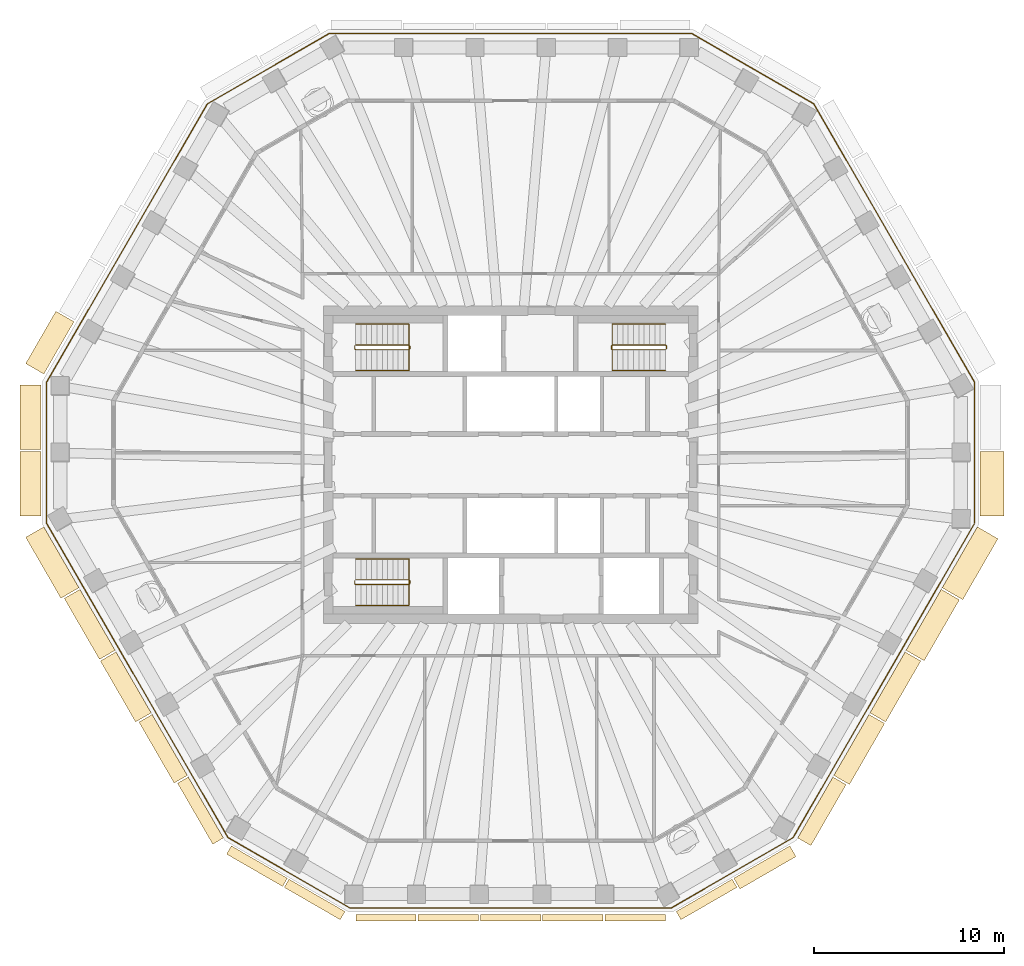
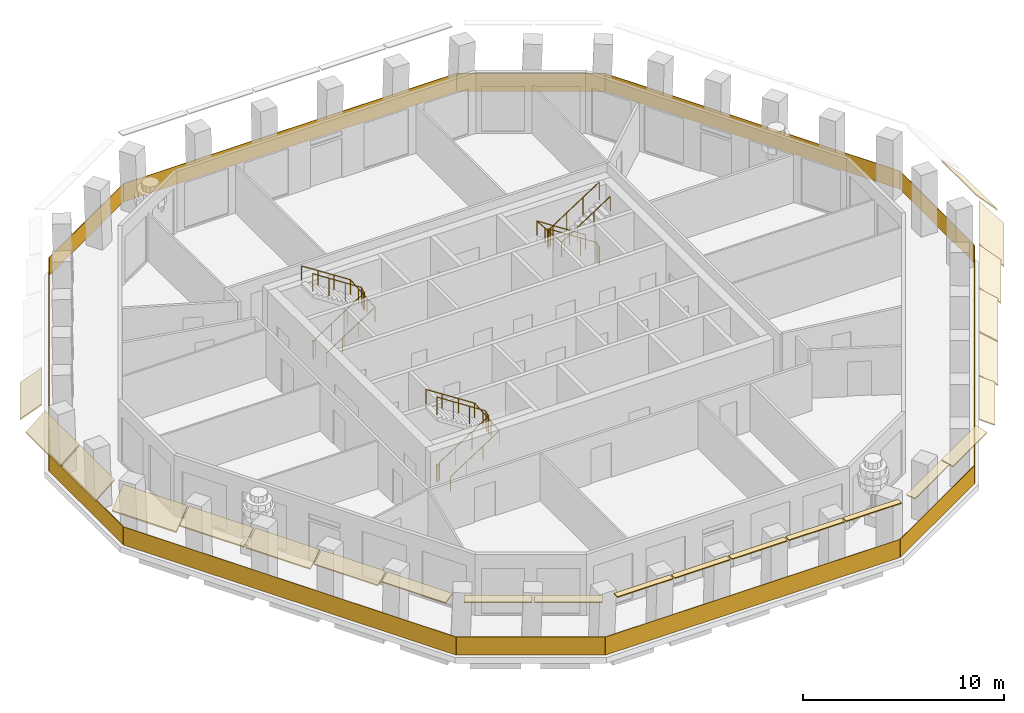
# One storey, part 8 of 11: 23 coverings, 7 railings.
"""IFC4 building model written with IfcOpenShell, lengths in metres."""

from ifc_helpers import new_model, si_unit, direction, frame, origin, origin_2d, place, context, subcontext, project, spatial, polyline, rectangle, circle, outline, extrude, material, layer, layer_set, type_object, element, save


model = new_model("IFC4")

# Units and contexts
model_context = context("Model", 3, precision=1e-05, world=origin(), true_north=direction((0.0, 1.0)))
body_context = subcontext(model_context, "Body", "Model", "MODEL_VIEW")
ifc_project = project(units=[si_unit("LENGTHUNIT", "METRE"), si_unit("AREAUNIT", "SQUARE_METRE"), si_unit("VOLUMEUNIT", "CUBIC_METRE"), si_unit("PLANEANGLEUNIT", "RADIAN"), si_unit("MASSUNIT", "GRAM", prefix="KILO")], contexts=[model_context])

# Site, building, storey
site_placement = place(None, origin())
site = spatial("IfcSite", under=ifc_project, at=site_placement, CompositionType="ELEMENT")
building_placement = place(site_placement, origin())
building = spatial("IfcBuilding", under=site, at=building_placement, Name="Frailejon Research Tower", CompositionType="ELEMENT")
storey_placement = place(building_placement, frame((0.0, 0.0, 283.0)))
storey = spatial("IfcBuildingStorey", under=building, at=storey_placement, Name="L62", CompositionType="ELEMENT", Elevation=283.0)

# Coverings
ifc_material_1 = material(Name="Precast concrete C50/60", Category="concrete")
ifc_layer_1 = layer(ifc_material_1, 0.06005859375)
ifc_layer_set_1 = layer_set([ifc_layer_1], Name="Brim blade depth 1100")
covering_type_1 = type_object("IfcCoveringType", Name="Brim blade depth 1100", PredefinedType="CLADDING", material=ifc_layer_set_1)
covering_1_placement = place(storey_placement, frame((-24.556884765625, 4.7744140625, 3.85009765625), z_axis=(0.500011211756, 0.866018930577, 0.0), x_axis=(-0.866018930577, 0.500011211756, 0.0)))
element("IfcCovering", 1, at=covering_1_placement, inside=storey, type_object=covering_type_1, Name="Brim blade L62", PredefinedType="CLADDING", context=body_context, shape_type="SweptSolid", body=[
    extrude(outline(polyline([(0.0, -0.078369140625), (1.10009765625, -1.001220703125), (1.10009765625, -0.923095703125), (0.0, 0.0), (0.0, -0.078369140625)])), origin(), (0.0, 0.0, 1.0), 3.177490234375),
])
covering_2_placement = place(storey_placement, frame((-24.709228515625, 0.80419921875, 3.85009765625), z_axis=(0.0, 1.0, 0.0), x_axis=(-1.0, 0.0, 0.0)))
element("IfcCovering", 2, at=covering_2_placement, inside=storey, type_object=covering_type_1, Name="Brim blade L62", PredefinedType="CLADDING", context=body_context, shape_type="SweptSolid", body=[
    extrude(outline(polyline([(0.0, -0.078369140625), (1.10009765625, -1.001220703125), (1.10009765625, -0.923095703125), (0.0, 0.0), (0.0, -0.078369140625)])), origin(), (0.0, 0.0, 1.0), 3.402099609375),
])
covering_3_placement = place(storey_placement, frame((-24.709228515625, -2.69775390625, 3.85009765625), z_axis=(0.0, 1.0, 0.0), x_axis=(-1.0, 0.0, 0.0)))
element("IfcCovering", 3, at=covering_3_placement, inside=storey, type_object=covering_type_1, Name="Brim blade L62", PredefinedType="CLADDING", context=body_context, shape_type="SweptSolid", body=[
    extrude(outline(polyline([(0.0, -0.078369140625), (1.10009765625, -1.001220703125), (1.10009765625, -0.923095703125), (0.0, 0.0), (0.0, -0.078369140625)])), origin(), (0.0, 0.0, 1.0), 3.40185546875),
])
for number, where, z_axis, x_axis, name in (
    (4, (-22.70703125, -6.47021484375, 3.85009765625), (-0.49999960493, 0.866025631878, 0.0), (-0.866025631878, -0.49999960493, 0.0), "Brim blade L62"),
    (5, (22.656982421875, -6.556884765625, 3.85009765625), (-0.49999960493, -0.866025631878, 0.0), (0.866025631878, -0.49999960493, 0.0), "Brim blade L62"),
):
    element("IfcCovering", number, at=place(storey_placement, frame(where, z_axis=z_axis, x_axis=x_axis)), inside=storey, type_object=covering_type_1, Name=name, PredefinedType="CLADDING", context=body_context, shape_type="SweptSolid", body=[
        extrude(outline(polyline([(0.0, -0.078369140625), (1.10009765625, -1.001220703125), (1.10009765625, -0.923095703125), (0.0, 0.0), (0.0, -0.078369140625)])), origin(), (0.0, 0.0, 1.0), 3.699951171875),
    ])
ifc_material_2 = material(Name="Precast concrete C50/60", Category="concrete")
ifc_layer_2 = layer(ifc_material_2, 0.06005859375)
ifc_layer_set_2 = layer_set([ifc_layer_2], Name="Brim blade depth 1250")
covering_type_2 = type_object("IfcCoveringType", Name="Brim blade depth 1250", PredefinedType="CLADDING", material=ifc_layer_set_2)
covering_4_placement = place(storey_placement, frame((24.709228515625, 0.7041015625, 3.85009765625), z_axis=(0.0, -1.0, 0.0), x_axis=(1.0, 0.0, 0.0)))
element("IfcCovering", 6, at=covering_4_placement, inside=storey, type_object=covering_type_2, Name="Brim blade L62", PredefinedType="CLADDING", context=body_context, shape_type="SweptSolid", body=[
    extrude(outline(polyline([(0.0, -0.0888671875), (1.25, -1.452880859375), (1.25, -1.364013671875), (0.0, 0.0), (0.0, -0.0888671875)])), origin(), (0.0, 0.0, 1.0), 3.40185546875),
])
covering_5_placement = place(storey_placement, frame((24.556884765625, -3.26611328125, 3.85009765625), z_axis=(-0.49999960493, -0.866025631878, 0.0), x_axis=(0.866025631878, -0.49999960493, 0.0)))
element("IfcCovering", 7, at=covering_5_placement, inside=storey, type_object=covering_type_2, Name="Brim blade L62", PredefinedType="CLADDING", context=body_context, shape_type="SweptSolid", body=[
    extrude(outline(polyline([(0.0, -0.0888671875), (1.25, -1.452880859375), (1.25, -1.364013671875), (0.0, 0.0), (0.0, -0.0888671875)])), origin(), (0.0, 0.0, 1.0), 3.699951171875),
])
ifc_material_3 = material(Name="Precast concrete C50/60", Category="concrete")
ifc_layer_3 = layer(ifc_material_3, 0.06005859375)
ifc_layer_set_3 = layer_set([ifc_layer_3], Name="Brim blade depth 350")
covering_type_3 = type_object("IfcCoveringType", Name="Brim blade depth 350", PredefinedType="CLADDING", material=ifc_layer_set_3)
for number, where, z_axis, x_axis, name in (
    (8, (-4.96630859375, -23.654296875, 3.85009765625), (-1.0, 0.0, 0.0), (0.0, -1.0, 0.0), "Brim blade L62"),
    (9, (-1.688720703125, -23.654296875, 3.85009765625), (-1.0, 0.0, 0.0), (0.0, -1.0, 0.0), "Brim blade L62"),
    (10, (1.588623046875, -23.654296875, 3.85009765625), (-1.0, 0.0, 0.0), (0.0, -1.0, 0.0), "Brim blade L62"),
    (11, (4.8662109375, -23.654296875, 3.85009765625), (-1.0, 0.0, 0.0), (0.0, -1.0, 0.0), "Brim blade L62"),
    (12, (8.143798828125, -23.654296875, 3.85009765625), (-1.0, 0.0, 0.0), (0.0, -1.0, 0.0), "Brim blade L62"),
):
    element("IfcCovering", number, at=place(storey_placement, frame(where, z_axis=z_axis, x_axis=x_axis)), inside=storey, type_object=covering_type_3, Name=name, PredefinedType="CLADDING", context=body_context, shape_type="SweptSolid", body=[
        extrude(outline(polyline([(0.0, -0.06005859375), (0.35009765625, -0.06005859375), (0.35009765625, 0.0), (0.0, 0.0), (0.0, -0.06005859375)])), origin(), (0.0, 0.0, 1.0), 3.177490234375),
    ])
ifc_material_4 = material(Name="Precast concrete C50/60", Category="concrete")
ifc_layer_4 = layer(ifc_material_4, 0.06005859375)
ifc_layer_set_4 = layer_set([ifc_layer_4], Name="Brim blade depth 500")
covering_type_4 = type_object("IfcCoveringType", Name="Brim blade depth 500", PredefinedType="CLADDING", material=ifc_layer_set_4)
covering_6_placement = place(storey_placement, frame((-11.744873046875, -21.7509765625, 3.85009765625), z_axis=(-0.866029133326, 0.499993540188, 0.0), x_axis=(-0.499993540188, -0.866029133326, 0.0)))
element("IfcCovering", 13, at=covering_6_placement, inside=storey, type_object=covering_type_4, Name="Brim blade L62", PredefinedType="CLADDING", context=body_context, shape_type="SweptSolid", body=[
    extrude(outline(polyline([(0.0, -0.060546875), (0.5, -0.130859375), (0.5, -0.0703125), (0.0, 0.0), (0.0, -0.060546875)])), origin(), (0.0, 0.0, 1.0), 3.40185546875),
])
for number, where, z_axis, x_axis, name in (
    (14, (-8.7119140625, -23.501953125, 3.85009765625), (-0.866023907216, 0.500002592124, 0.0), (-0.500002592124, -0.866023907216, 0.0), "Brim blade L62"),
    (15, (11.658203125, -21.80078125, 3.85009765625), (-0.866023907216, -0.500002592124, 0.0), (0.500002592124, -0.866023907216, 0.0), "Brim blade L62"),
):
    element("IfcCovering", number, at=place(storey_placement, frame(where, z_axis=z_axis, x_axis=x_axis)), inside=storey, type_object=covering_type_4, Name=name, PredefinedType="CLADDING", context=body_context, shape_type="SweptSolid", body=[
        extrude(outline(polyline([(0.0, -0.060546875), (0.5, -0.130859375), (0.5, -0.0703125), (0.0, 0.0), (0.0, -0.060546875)])), origin(), (0.0, 0.0, 1.0), 3.402099609375),
    ])
ifc_material_5 = material(Name="Precast concrete C50/60", Category="concrete")
ifc_layer_5 = layer(ifc_material_5, 0.06005859375)
ifc_layer_set_5 = layer_set([ifc_layer_5], Name="Brim blade depth 650")
covering_type_5 = type_object("IfcCoveringType", Name="Brim blade depth 650", PredefinedType="CLADDING", material=ifc_layer_set_5)
covering_7_placement = place(storey_placement, frame((-15.10693359375, -19.634033203125, 3.85009765625), z_axis=(-0.49999960493, 0.866025631878, 0.0), x_axis=(-0.866025631878, -0.49999960493, 0.0)))
element("IfcCovering", 16, at=covering_7_placement, inside=storey, type_object=covering_type_5, Name="Brim blade L62", PredefinedType="CLADDING", context=body_context, shape_type="SweptSolid", body=[
    extrude(outline(polyline([(0.0, -0.0625), (0.64990234375, -0.248779296875), (0.64990234375, -0.186279296875), (0.0, 0.0), (0.0, -0.0625)])), origin(), (0.0, 0.0, 1.0), 3.699951171875),
])
covering_8_placement = place(storey_placement, frame((14.69091796875, -20.050048828125, 3.85009765625), z_axis=(-0.866029133326, -0.499993540188, 0.0), x_axis=(0.499993540188, -0.866029133326, 0.0)))
element("IfcCovering", 17, at=covering_8_placement, inside=storey, type_object=covering_type_5, Name="Brim blade L62", PredefinedType="CLADDING", context=body_context, shape_type="SweptSolid", body=[
    extrude(outline(polyline([(0.0, -0.0625), (0.64990234375, -0.248779296875), (0.64990234375, -0.186279296875), (0.0, 0.0), (0.0, -0.0625)])), origin(), (0.0, 0.0, 1.0), 3.40185546875),
])
ifc_material_6 = material(Name="Precast concrete C50/60", Category="concrete")
ifc_layer_6 = layer(ifc_material_6, 0.06005859375)
ifc_layer_set_6 = layer_set([ifc_layer_6], Name="Brim blade depth 800")
covering_type_6 = type_object("IfcCoveringType", Name="Brim blade depth 800", PredefinedType="CLADDING", material=ifc_layer_set_6)
covering_9_placement = place(storey_placement, frame((-17.0068359375, -16.343017578125, 3.85009765625), z_axis=(-0.500019341735, 0.866014236541, 0.0), x_axis=(-0.866014236541, -0.500019341735, 0.0)))
element("IfcCovering", 18, at=covering_9_placement, inside=storey, type_object=covering_type_6, Name="Brim blade L62", PredefinedType="CLADDING", context=body_context, shape_type="SweptSolid", body=[
    extrude(outline(polyline([(0.0, -0.065673828125), (0.800048828125, -0.421875), (0.800048828125, -0.356201171875), (0.0, 0.0), (0.0, -0.065673828125)])), origin(), (0.0, 0.0, 1.0), 3.7001953125),
])
covering_10_placement = place(storey_placement, frame((16.956787109375, -16.4296875, 3.85009765625), z_axis=(-0.49999960493, -0.866025631878, 0.0), x_axis=(0.866025631878, -0.49999960493, 0.0)))
element("IfcCovering", 19, at=covering_10_placement, inside=storey, type_object=covering_type_6, Name="Brim blade L62", PredefinedType="CLADDING", context=body_context, shape_type="SweptSolid", body=[
    extrude(outline(polyline([(0.0, -0.065673828125), (0.800048828125, -0.421875), (0.800048828125, -0.356201171875), (0.0, 0.0), (0.0, -0.065673828125)])), origin(), (0.0, 0.0, 1.0), 3.699951171875),
])
ifc_material_7 = material(Name="Precast concrete C50/60", Category="concrete")
ifc_layer_7 = layer(ifc_material_7, 0.06005859375)
ifc_layer_set_7 = layer_set([ifc_layer_7], Name="Brim blade depth 950")
covering_type_7 = type_object("IfcCoveringType", Name="Brim blade depth 950", PredefinedType="CLADDING", material=ifc_layer_set_7)
covering_11_placement = place(storey_placement, frame((-20.806884765625, -9.76123046875, 3.85009765625), z_axis=(-0.49999960493, 0.866025631878, 0.0), x_axis=(-0.866025631878, -0.49999960493, 0.0)))
element("IfcCovering", 20, at=covering_11_placement, inside=storey, type_object=covering_type_7, Name="Brim blade L62", PredefinedType="CLADDING", context=body_context, shape_type="SweptSolid", body=[
    extrude(outline(polyline([(0.0, -0.07080078125), (0.949951171875, -0.664306640625), (0.949951171875, -0.593505859375), (0.0, 0.0), (0.0, -0.07080078125)])), origin(), (0.0, 0.0, 1.0), 3.699951171875),
])
for number, where, z_axis, x_axis, name in (
    (21, (-18.906982421875, -13.05224609375, 3.85009765625), (-0.499988210276, 0.866032210478, 0.0), (-0.866032210478, -0.499988210276, 0.0), "Brim blade L62"),
    (22, (18.85693359375, -13.138916015625, 3.85009765625), (-0.500019341735, -0.866014236541, 0.0), (0.866014236541, -0.500019341735, 0.0), "Brim blade L62"),
    (23, (20.757080078125, -9.847900390625, 3.85009765625), (-0.499988210276, -0.866032210478, 0.0), (0.866032210478, -0.499988210276, 0.0), "Brim blade L62"),
):
    element("IfcCovering", number, at=place(storey_placement, frame(where, z_axis=z_axis, x_axis=x_axis)), inside=storey, type_object=covering_type_7, Name=name, PredefinedType="CLADDING", context=body_context, shape_type="SweptSolid", body=[
        extrude(outline(polyline([(0.0, -0.07080078125), (0.949951171875, -0.664306640625), (0.949951171875, -0.593505859375), (0.0, 0.0), (0.0, -0.07080078125)])), origin(), (0.0, 0.0, 1.0), 3.7001953125),
    ])

# Railings
ifc_material_8 = material(Name="Laminated glass balustrade", Category="glass")
railing_type_1 = type_object("IfcRailingType", Name="Glass guard 1100", PredefinedType="GUARDRAIL", material=ifc_material_8)
railing_1_placement = place(storey_placement, frame((24.41845703125, -3.069580078125, 0.0)))
element("IfcRailing", 24, at=railing_1_placement, inside=storey, type_object=railing_type_1, Name="Loggia guard L62", PredefinedType="GUARDRAIL", context=body_context, shape_type="SweptSolid", body=[
    extrude(rectangle(XDim=7.396240234375, YDim=0.030029296875, at=origin_2d()), frame((0.0, 3.6982421875, 0.0), z_axis=(0.0, 0.0, 1.0), x_axis=(0.0, 1.0, 0.0)), (0.0, 0.0, 1.0), 1.10009765625),
    extrude(rectangle(XDim=16.924560546875, YDim=0.030029296875, at=origin_2d()), frame((-4.23095703125, 14.724853515625, 0.0), z_axis=(0.0, 0.0, 1.0), x_axis=(-0.49999133663, 0.866030405526, 0.0)), (0.0, 0.0, 1.0), 1.10009765625),
    extrude(rectangle(XDim=7.396240234375, YDim=0.030029296875, at=origin_2d()), frame((-11.664794921875, 23.90234375, 0.0), z_axis=(0.0, 0.0, 1.0), x_axis=(-0.866030573133, 0.49999104632, 0.0)), (0.0, 0.0, 1.0), 1.10009765625),
    extrude(rectangle(XDim=19.10205078125, YDim=0.030029296875, at=origin_2d()), frame((-24.41845703125, 25.75146484375, 0.0), z_axis=(0.0, 0.0, 1.0), x_axis=(-1.0, 0.0, 0.0)), (0.0, 0.0, 1.0), 1.10009765625),
    extrude(rectangle(XDim=7.396240234375, YDim=0.030029296875, at=origin_2d()), frame((-37.172119140625, 23.90234375, 0.0), z_axis=(0.0, 0.0, 1.0), x_axis=(-0.866030573133, -0.49999104632, 0.0)), (0.0, 0.0, 1.0), 1.10009765625),
    extrude(rectangle(XDim=16.924560546875, YDim=0.030029296875, at=origin_2d()), frame((-44.60595703125, 14.724853515625, 0.0), z_axis=(0.0, 0.0, 1.0), x_axis=(-0.49999133663, -0.866030405526, 0.0)), (0.0, 0.0, 1.0), 1.10009765625),
    extrude(rectangle(XDim=7.396240234375, YDim=0.030029296875, at=origin_2d()), frame((-48.8369140625, 3.6982421875, 0.0), z_axis=(0.0, 0.0, 1.0), x_axis=(0.0, -1.0, 0.0)), (0.0, 0.0, 1.0), 1.10009765625),
    extrude(rectangle(XDim=19.101806640625, YDim=0.030029296875, at=origin_2d()), frame((-44.0615234375, -8.271484375, 0.0), z_axis=(0.0, 0.0, 1.0), x_axis=(0.499993511477, -0.866029149902, 0.0)), (0.0, 0.0, 1.0), 1.10009765625),
    extrude(rectangle(XDim=7.396240234375, YDim=0.030029296875, at=origin_2d()), frame((-36.08349609375, -18.3916015625, 0.0), z_axis=(0.0, 0.0, 1.0), x_axis=(0.866030573133, -0.49999104632, 0.0)), (0.0, 0.0, 1.0), 1.10009765625),
    extrude(rectangle(XDim=16.9248046875, YDim=0.030029296875, at=origin_2d()), frame((-24.41845703125, -20.24072265625, 0.0), z_axis=(0.0, 0.0, 1.0), x_axis=(1.0, 0.0, 0.0)), (0.0, 0.0, 1.0), 1.10009765625),
    extrude(rectangle(XDim=7.396240234375, YDim=0.030029296875, at=origin_2d()), frame((-12.75341796875, -18.3916015625, 0.0), z_axis=(0.0, 0.0, 1.0), x_axis=(0.866030573133, 0.49999104632, 0.0)), (0.0, 0.0, 1.0), 1.10009765625),
    extrude(rectangle(XDim=19.031982421875, YDim=0.030029296875, at=origin_2d()), frame((-4.79296875, -8.3017578125, 0.0), z_axis=(0.0, 0.0, 1.0), x_axis=(0.499995247011, 0.866028147907, 0.0)), (0.0, 0.0, 1.0), 1.10009765625),
])
ifc_material_9 = material(Name="Stainless steel", Category="steel")
railing_type_2 = type_object("IfcRailingType", Name="Stair guard 1100", PredefinedType="GUARDRAIL", material=ifc_material_9)
railing_2_placement = place(storey_placement, frame((-8.199951171875, 6.25, 0.0)))
element("IfcRailing", 25, at=railing_2_placement, inside=storey, type_object=railing_type_2, Name="L62 ST1 stair guard 1", PredefinedType="GUARDRAIL", context=body_context, shape_type="SweptSolid", body=[
    extrude(circle(Radius=0.02392578125, at=origin_2d()), frame((0.0, 0.0, 1.076171875), z_axis=(0.0, -1.0, 0.0), x_axis=(1.0, 0.0, 0.0)), (0.0, 0.0, 1.0), 0.14990234375),
    extrude(circle(Radius=0.02392578125, at=origin_2d()), frame((0.0, -0.14990234375, 1.076171875), z_axis=(0.256435381639, -0.256435381639, 0.931923704005), x_axis=(0.707106781187, 0.707106781187, 0.0)), (0.0, 0.0, 1.0), 0.195068359375),
    extrude(circle(Radius=0.02392578125, at=origin_2d()), frame((0.050048828125, -0.199951171875, 1.2578125), z_axis=(0.83868413941, 0.0, 0.544618136222), x_axis=(0.0, 1.0, 0.0)), (0.0, 0.0, 1.0), 3.33837890625),
    extrude(circle(Radius=0.02392578125, at=origin_2d()), frame((2.849853515625, -0.199951171875, 3.076171875), z_axis=(0.707106781187, 0.707106781187, 0.0), x_axis=(-0.707106781187, 0.707106781187, 0.0)), (0.0, 0.0, 1.0), 0.07080078125),
    extrude(circle(Radius=0.02392578125, at=origin_2d()), frame((2.89990234375, -0.14990234375, 3.076171875), z_axis=(0.0, 1.0, 0.0), x_axis=(-1.0, 0.0, 0.0)), (0.0, 0.0, 1.0), 0.14990234375),
    extrude(circle(Radius=0.02392578125, at=origin_2d()), frame((2.89990234375, 0.0, 3.076171875), z_axis=(-0.256435381639, 0.256435381639, 0.931923704005), x_axis=(-0.707106781187, -0.707106781187, 0.0)), (0.0, 0.0, 1.0), 0.195068359375),
    extrude(circle(Radius=0.02392578125, at=origin_2d()), frame((2.849853515625, 0.050048828125, 3.2578125), z_axis=(-0.83868413941, 0.0, 0.544618136222), x_axis=(0.0, -1.0, 0.0)), (0.0, 0.0, 1.0), 3.33837890625),
    extrude(circle(Radius=0.02099609375, at=origin_2d()), origin(), (0.0, 0.0, 1.0), 1.052001953125),
    extrude(circle(Radius=0.02099609375, at=origin_2d()), frame((0.0, -0.14990234375, 0.0)), (0.0, 0.0, 1.0), 1.052001953125),
    extrude(circle(Radius=0.02099609375, at=origin_2d()), frame((0.050048828125, -0.199951171875, 0.181884765625)), (0.0, 0.0, 1.0), 1.052001953125),
    extrude(circle(Radius=0.02099609375, at=origin_2d()), frame((0.9833984375, -0.199951171875, 0.787841796875)), (0.0, 0.0, 1.0), 1.052001953125),
    extrude(circle(Radius=0.02099609375, at=origin_2d()), frame((1.91650390625, -0.199951171875, 1.39404296875)), (0.0, 0.0, 1.0), 1.052001953125),
    extrude(circle(Radius=0.02099609375, at=origin_2d()), frame((2.849853515625, -0.199951171875, 2.0)), (0.0, 0.0, 1.0), 1.052001953125),
    extrude(circle(Radius=0.02099609375, at=origin_2d()), frame((2.89990234375, -0.14990234375, 2.0)), (0.0, 0.0, 1.0), 1.052001953125),
    extrude(circle(Radius=0.02099609375, at=origin_2d()), frame((2.89990234375, 0.0, 2.0)), (0.0, 0.0, 1.0), 1.052001953125),
    extrude(circle(Radius=0.02099609375, at=origin_2d()), frame((2.849853515625, 0.050048828125, 2.181884765625)), (0.0, 0.0, 1.0), 1.052001953125),
    extrude(circle(Radius=0.02099609375, at=origin_2d()), frame((1.91650390625, 0.050048828125, 2.787841796875)), (0.0, 0.0, 1.0), 1.052001953125),
    extrude(circle(Radius=0.02099609375, at=origin_2d()), frame((0.9833984375, 0.050048828125, 3.39404296875)), (0.0, 0.0, 1.0), 1.052001953125),
    extrude(circle(Radius=0.02099609375, at=origin_2d()), frame((0.050048828125, 0.050048828125, 4.0)), (0.0, 0.0, 1.0), 1.052001953125),
])
railing_3_placement = place(storey_placement, frame((-8.199951171875, -6.10009765625, 0.0)))
element("IfcRailing", 26, at=railing_3_placement, inside=storey, type_object=railing_type_2, Name="L62 ST2 stair guard 1", PredefinedType="GUARDRAIL", context=body_context, shape_type="SweptSolid", body=[
    extrude(circle(Radius=0.02392578125, at=origin_2d()), frame((0.0, 0.0, 1.076171875), z_axis=(0.0, -1.0, 0.0), x_axis=(1.0, 0.0, 0.0)), (0.0, 0.0, 1.0), 0.14990234375),
    extrude(circle(Radius=0.02392578125, at=origin_2d()), frame((0.0, -0.14990234375, 1.076171875), z_axis=(0.256435381639, -0.256435381639, 0.931923704005), x_axis=(0.707106781187, 0.707106781187, 0.0)), (0.0, 0.0, 1.0), 0.195068359375),
    extrude(circle(Radius=0.02392578125, at=origin_2d()), frame((0.050048828125, -0.199951171875, 1.2578125), z_axis=(0.83868413941, 0.0, 0.544618136222), x_axis=(0.0, 1.0, 0.0)), (0.0, 0.0, 1.0), 3.33837890625),
    extrude(circle(Radius=0.02392578125, at=origin_2d()), frame((2.849853515625, -0.199951171875, 3.076171875), z_axis=(0.707106781187, 0.707106781187, 0.0), x_axis=(-0.707106781187, 0.707106781187, 0.0)), (0.0, 0.0, 1.0), 0.07080078125),
    extrude(circle(Radius=0.02392578125, at=origin_2d()), frame((2.89990234375, -0.14990234375, 3.076171875), z_axis=(0.0, 1.0, 0.0), x_axis=(-1.0, 0.0, 0.0)), (0.0, 0.0, 1.0), 0.14990234375),
    extrude(circle(Radius=0.02392578125, at=origin_2d()), frame((2.89990234375, 0.0, 3.076171875), z_axis=(-0.256435381639, 0.256435381639, 0.931923704005), x_axis=(-0.707106781187, -0.707106781187, 0.0)), (0.0, 0.0, 1.0), 0.195068359375),
    extrude(circle(Radius=0.02392578125, at=origin_2d()), frame((2.849853515625, 0.050048828125, 3.2578125), z_axis=(-0.83868413941, 0.0, 0.544618136222), x_axis=(0.0, -1.0, 0.0)), (0.0, 0.0, 1.0), 3.33837890625),
    extrude(circle(Radius=0.02099609375, at=origin_2d()), origin(), (0.0, 0.0, 1.0), 1.052001953125),
    extrude(circle(Radius=0.02099609375, at=origin_2d()), frame((0.0, -0.14990234375, 0.0)), (0.0, 0.0, 1.0), 1.052001953125),
    extrude(circle(Radius=0.02099609375, at=origin_2d()), frame((0.050048828125, -0.199951171875, 0.181884765625)), (0.0, 0.0, 1.0), 1.052001953125),
    extrude(circle(Radius=0.02099609375, at=origin_2d()), frame((0.9833984375, -0.199951171875, 0.787841796875)), (0.0, 0.0, 1.0), 1.052001953125),
    extrude(circle(Radius=0.02099609375, at=origin_2d()), frame((1.91650390625, -0.199951171875, 1.39404296875)), (0.0, 0.0, 1.0), 1.052001953125),
    extrude(circle(Radius=0.02099609375, at=origin_2d()), frame((2.849853515625, -0.199951171875, 2.0)), (0.0, 0.0, 1.0), 1.052001953125),
    extrude(circle(Radius=0.02099609375, at=origin_2d()), frame((2.89990234375, -0.14990234375, 2.0)), (0.0, 0.0, 1.0), 1.052001953125),
    extrude(circle(Radius=0.02099609375, at=origin_2d()), frame((2.89990234375, 0.0, 2.0)), (0.0, 0.0, 1.0), 1.052001953125),
    extrude(circle(Radius=0.02099609375, at=origin_2d()), frame((2.849853515625, 0.050048828125, 2.181884765625)), (0.0, 0.0, 1.0), 1.052001953125),
    extrude(circle(Radius=0.02099609375, at=origin_2d()), frame((1.91650390625, 0.050048828125, 2.787841796875)), (0.0, 0.0, 1.0), 1.052001953125),
    extrude(circle(Radius=0.02099609375, at=origin_2d()), frame((0.9833984375, 0.050048828125, 3.39404296875)), (0.0, 0.0, 1.0), 1.052001953125),
    extrude(circle(Radius=0.02099609375, at=origin_2d()), frame((0.050048828125, 0.050048828125, 4.0)), (0.0, 0.0, 1.0), 1.052001953125),
])
railing_4_placement = place(storey_placement, frame((8.199951171875, 6.10009765625, 0.0)))
element("IfcRailing", 27, at=railing_4_placement, inside=storey, type_object=railing_type_2, Name="L62 ST3 stair guard 1", PredefinedType="GUARDRAIL", context=body_context, shape_type="SweptSolid", body=[
    extrude(circle(Radius=0.02392578125, at=origin_2d()), frame((0.0, 0.0, 1.076171875), z_axis=(0.0, 1.0, 0.0), x_axis=(-1.0, 0.0, 0.0)), (0.0, 0.0, 1.0), 0.14990234375),
    extrude(circle(Radius=0.02392578125, at=origin_2d()), frame((0.0, 0.14990234375, 1.076171875), z_axis=(-0.256435381639, 0.256435381639, 0.931923704005), x_axis=(-0.707106781187, -0.707106781187, 0.0)), (0.0, 0.0, 1.0), 0.195068359375),
    extrude(circle(Radius=0.02392578125, at=origin_2d()), frame((-0.050048828125, 0.199951171875, 1.2578125), z_axis=(-0.83868413941, 0.0, 0.544618136222), x_axis=(0.0, -1.0, 0.0)), (0.0, 0.0, 1.0), 3.33837890625),
    extrude(circle(Radius=0.02392578125, at=origin_2d()), frame((-2.849853515625, 0.199951171875, 3.076171875), z_axis=(-0.707106781187, -0.707106781187, 0.0), x_axis=(0.707106781187, -0.707106781187, 0.0)), (0.0, 0.0, 1.0), 0.07080078125),
    extrude(circle(Radius=0.02392578125, at=origin_2d()), frame((-2.89990234375, 0.14990234375, 3.076171875), z_axis=(0.0, -1.0, 0.0), x_axis=(1.0, 0.0, 0.0)), (0.0, 0.0, 1.0), 0.14990234375),
    extrude(circle(Radius=0.02392578125, at=origin_2d()), frame((-2.89990234375, 0.0, 3.076171875), z_axis=(0.256435381639, -0.256435381639, 0.931923704005), x_axis=(0.707106781187, 0.707106781187, 0.0)), (0.0, 0.0, 1.0), 0.195068359375),
    extrude(circle(Radius=0.02392578125, at=origin_2d()), frame((-2.849853515625, -0.050048828125, 3.2578125), z_axis=(0.83868413941, 0.0, 0.544618136222), x_axis=(0.0, 1.0, 0.0)), (0.0, 0.0, 1.0), 3.33837890625),
    extrude(circle(Radius=0.02099609375, at=origin_2d()), origin(), (0.0, 0.0, 1.0), 1.052001953125),
    extrude(circle(Radius=0.02099609375, at=origin_2d()), frame((0.0, 0.14990234375, 0.0)), (0.0, 0.0, 1.0), 1.052001953125),
    extrude(circle(Radius=0.02099609375, at=origin_2d()), frame((-0.050048828125, 0.199951171875, 0.181884765625)), (0.0, 0.0, 1.0), 1.052001953125),
    extrude(circle(Radius=0.02099609375, at=origin_2d()), frame((-0.9833984375, 0.199951171875, 0.787841796875)), (0.0, 0.0, 1.0), 1.052001953125),
    extrude(circle(Radius=0.02099609375, at=origin_2d()), frame((-1.91650390625, 0.199951171875, 1.39404296875)), (0.0, 0.0, 1.0), 1.052001953125),
    extrude(circle(Radius=0.02099609375, at=origin_2d()), frame((-2.849853515625, 0.199951171875, 2.0)), (0.0, 0.0, 1.0), 1.052001953125),
    extrude(circle(Radius=0.02099609375, at=origin_2d()), frame((-2.89990234375, 0.14990234375, 2.0)), (0.0, 0.0, 1.0), 1.052001953125),
    extrude(circle(Radius=0.02099609375, at=origin_2d()), frame((-2.89990234375, 0.0, 2.0)), (0.0, 0.0, 1.0), 1.052001953125),
    extrude(circle(Radius=0.02099609375, at=origin_2d()), frame((-2.849853515625, -0.050048828125, 2.181884765625)), (0.0, 0.0, 1.0), 1.052001953125),
    extrude(circle(Radius=0.02099609375, at=origin_2d()), frame((-1.91650390625, -0.050048828125, 2.787841796875)), (0.0, 0.0, 1.0), 1.052001953125),
    extrude(circle(Radius=0.02099609375, at=origin_2d()), frame((-0.9833984375, -0.050048828125, 3.39404296875)), (0.0, 0.0, 1.0), 1.052001953125),
    extrude(circle(Radius=0.02099609375, at=origin_2d()), frame((-0.050048828125, -0.050048828125, 4.0)), (0.0, 0.0, 1.0), 1.052001953125),
])
ifc_material_10 = material(Name="Stainless steel", Category="steel")
railing_type_3 = type_object("IfcRailingType", Name="Stair handrail 900", PredefinedType="HANDRAIL", material=ifc_material_10)
railing_5_placement = place(storey_placement, frame((-8.14990234375, 4.949951171875, 0.181884765625)))
element("IfcRailing", 28, at=railing_5_placement, inside=storey, type_object=railing_type_3, Name="L62 ST1 stair handrail 1", PredefinedType="HANDRAIL", context=body_context, shape_type="SweptSolid", body=[
    extrude(circle(Radius=0.02392578125, at=origin_2d()), frame((0.0, 0.0, 0.8759765625), z_axis=(0.83868413941, 0.0, 0.544618136222), x_axis=(0.0, 1.0, 0.0)), (0.0, 0.0, 1.0), 3.33837890625),
    extrude(circle(Radius=0.02392578125, at=origin_2d()), frame((2.7998046875, 0.0, 2.69384765625), z_axis=(0.0, 0.997255538948, 0.074036410216), x_axis=(-1.0, 0.0, 0.0)), (0.0, 0.0, 1.0), 2.456787109375),
    extrude(circle(Radius=0.02392578125, at=origin_2d()), frame((2.7998046875, 2.449951171875, 2.8759765625), z_axis=(-0.83868413941, 0.0, 0.544618136222), x_axis=(0.0, -1.0, 0.0)), (0.0, 0.0, 1.0), 3.33837890625),
    extrude(circle(Radius=0.02099609375, at=origin_2d()), origin(), (0.0, 0.0, 1.0), 0.851806640625),
    extrude(circle(Radius=0.02099609375, at=origin_2d()), frame((0.933349609375, 0.0, 0.60595703125)), (0.0, 0.0, 1.0), 0.851806640625),
    extrude(circle(Radius=0.02099609375, at=origin_2d()), frame((1.866455078125, 0.0, 1.212158203125)), (0.0, 0.0, 1.0), 0.851806640625),
    extrude(circle(Radius=0.02099609375, at=origin_2d()), frame((2.7998046875, 0.0, 1.818115234375)), (0.0, 0.0, 1.0), 0.851806640625),
    extrude(circle(Radius=0.02099609375, at=origin_2d()), frame((2.7998046875, 0.816650390625, 1.878662109375)), (0.0, 0.0, 1.0), 0.851806640625),
    extrude(circle(Radius=0.02099609375, at=origin_2d()), frame((2.7998046875, 1.63330078125, 1.939453125)), (0.0, 0.0, 1.0), 0.851806640625),
    extrude(circle(Radius=0.02099609375, at=origin_2d()), frame((2.7998046875, 2.449951171875, 2.0)), (0.0, 0.0, 1.0), 0.851806640625),
    extrude(circle(Radius=0.02099609375, at=origin_2d()), frame((1.866455078125, 2.449951171875, 2.60595703125)), (0.0, 0.0, 1.0), 0.851806640625),
    extrude(circle(Radius=0.02099609375, at=origin_2d()), frame((0.933349609375, 2.449951171875, 3.212158203125)), (0.0, 0.0, 1.0), 0.851806640625),
    extrude(circle(Radius=0.02099609375, at=origin_2d()), frame((0.0, 2.449951171875, 3.818115234375)), (0.0, 0.0, 1.0), 0.851806640625),
])
railing_6_placement = place(storey_placement, frame((-8.14990234375, -7.39990234375, 0.181884765625)))
element("IfcRailing", 29, at=railing_6_placement, inside=storey, type_object=railing_type_3, Name="L62 ST2 stair handrail 1", PredefinedType="HANDRAIL", context=body_context, shape_type="SweptSolid", body=[
    extrude(circle(Radius=0.02392578125, at=origin_2d()), frame((0.0, 0.0, 0.8759765625), z_axis=(0.83868413941, 0.0, 0.544618136222), x_axis=(0.0, 1.0, 0.0)), (0.0, 0.0, 1.0), 3.33837890625),
    extrude(circle(Radius=0.02392578125, at=origin_2d()), frame((2.7998046875, 0.0, 2.69384765625), z_axis=(0.0, 0.997255538948, 0.074036410216), x_axis=(-1.0, 0.0, 0.0)), (0.0, 0.0, 1.0), 2.456787109375),
    extrude(circle(Radius=0.02392578125, at=origin_2d()), frame((2.7998046875, 2.449951171875, 2.8759765625), z_axis=(-0.83868413941, 0.0, 0.544618136222), x_axis=(0.0, -1.0, 0.0)), (0.0, 0.0, 1.0), 3.33837890625),
    extrude(circle(Radius=0.02099609375, at=origin_2d()), origin(), (0.0, 0.0, 1.0), 0.851806640625),
    extrude(circle(Radius=0.02099609375, at=origin_2d()), frame((0.933349609375, 0.0, 0.60595703125)), (0.0, 0.0, 1.0), 0.851806640625),
    extrude(circle(Radius=0.02099609375, at=origin_2d()), frame((1.866455078125, 0.0, 1.212158203125)), (0.0, 0.0, 1.0), 0.851806640625),
    extrude(circle(Radius=0.02099609375, at=origin_2d()), frame((2.7998046875, 0.0, 1.818115234375)), (0.0, 0.0, 1.0), 0.851806640625),
    extrude(circle(Radius=0.02099609375, at=origin_2d()), frame((2.7998046875, 0.816650390625, 1.878662109375)), (0.0, 0.0, 1.0), 0.851806640625),
    extrude(circle(Radius=0.02099609375, at=origin_2d()), frame((2.7998046875, 1.63330078125, 1.939453125)), (0.0, 0.0, 1.0), 0.851806640625),
    extrude(circle(Radius=0.02099609375, at=origin_2d()), frame((2.7998046875, 2.449951171875, 2.0)), (0.0, 0.0, 1.0), 0.851806640625),
    extrude(circle(Radius=0.02099609375, at=origin_2d()), frame((1.866455078125, 2.449951171875, 2.60595703125)), (0.0, 0.0, 1.0), 0.851806640625),
    extrude(circle(Radius=0.02099609375, at=origin_2d()), frame((0.933349609375, 2.449951171875, 3.212158203125)), (0.0, 0.0, 1.0), 0.851806640625),
    extrude(circle(Radius=0.02099609375, at=origin_2d()), frame((0.0, 2.449951171875, 3.818115234375)), (0.0, 0.0, 1.0), 0.851806640625),
])
railing_7_placement = place(storey_placement, frame((8.14990234375, 7.39990234375, 0.181884765625)))
element("IfcRailing", 30, at=railing_7_placement, inside=storey, type_object=railing_type_3, Name="L62 ST3 stair handrail 1", PredefinedType="HANDRAIL", context=body_context, shape_type="SweptSolid", body=[
    extrude(circle(Radius=0.02392578125, at=origin_2d()), frame((0.0, 0.0, 0.8759765625), z_axis=(-0.83868413941, 0.0, 0.544618136222), x_axis=(0.0, -1.0, 0.0)), (0.0, 0.0, 1.0), 3.33837890625),
    extrude(circle(Radius=0.02392578125, at=origin_2d()), frame((-2.7998046875, 0.0, 2.69384765625), z_axis=(0.0, -0.997255538948, 0.074036410216), x_axis=(1.0, 0.0, 0.0)), (0.0, 0.0, 1.0), 2.456787109375),
    extrude(circle(Radius=0.02392578125, at=origin_2d()), frame((-2.7998046875, -2.449951171875, 2.8759765625), z_axis=(0.83868413941, 0.0, 0.544618136222), x_axis=(0.0, 1.0, 0.0)), (0.0, 0.0, 1.0), 3.33837890625),
    extrude(circle(Radius=0.02099609375, at=origin_2d()), origin(), (0.0, 0.0, 1.0), 0.851806640625),
    extrude(circle(Radius=0.02099609375, at=origin_2d()), frame((-0.933349609375, 0.0, 0.60595703125)), (0.0, 0.0, 1.0), 0.851806640625),
    extrude(circle(Radius=0.02099609375, at=origin_2d()), frame((-1.866455078125, 0.0, 1.212158203125)), (0.0, 0.0, 1.0), 0.851806640625),
    extrude(circle(Radius=0.02099609375, at=origin_2d()), frame((-2.7998046875, 0.0, 1.818115234375)), (0.0, 0.0, 1.0), 0.851806640625),
    extrude(circle(Radius=0.02099609375, at=origin_2d()), frame((-2.7998046875, -0.816650390625, 1.878662109375)), (0.0, 0.0, 1.0), 0.851806640625),
    extrude(circle(Radius=0.02099609375, at=origin_2d()), frame((-2.7998046875, -1.63330078125, 1.939453125)), (0.0, 0.0, 1.0), 0.851806640625),
    extrude(circle(Radius=0.02099609375, at=origin_2d()), frame((-2.7998046875, -2.449951171875, 2.0)), (0.0, 0.0, 1.0), 0.851806640625),
    extrude(circle(Radius=0.02099609375, at=origin_2d()), frame((-1.866455078125, -2.449951171875, 2.60595703125)), (0.0, 0.0, 1.0), 0.851806640625),
    extrude(circle(Radius=0.02099609375, at=origin_2d()), frame((-0.933349609375, -2.449951171875, 3.212158203125)), (0.0, 0.0, 1.0), 0.851806640625),
    extrude(circle(Radius=0.02099609375, at=origin_2d()), frame((0.0, -2.449951171875, 3.818115234375)), (0.0, 0.0, 1.0), 0.851806640625),
])

save(model, "model.ifc")
